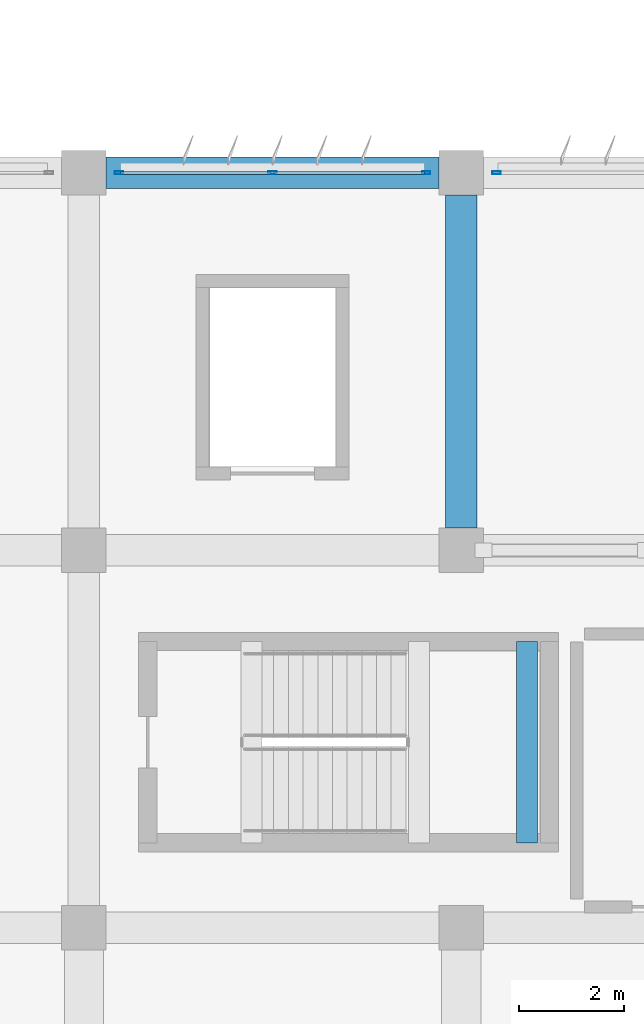
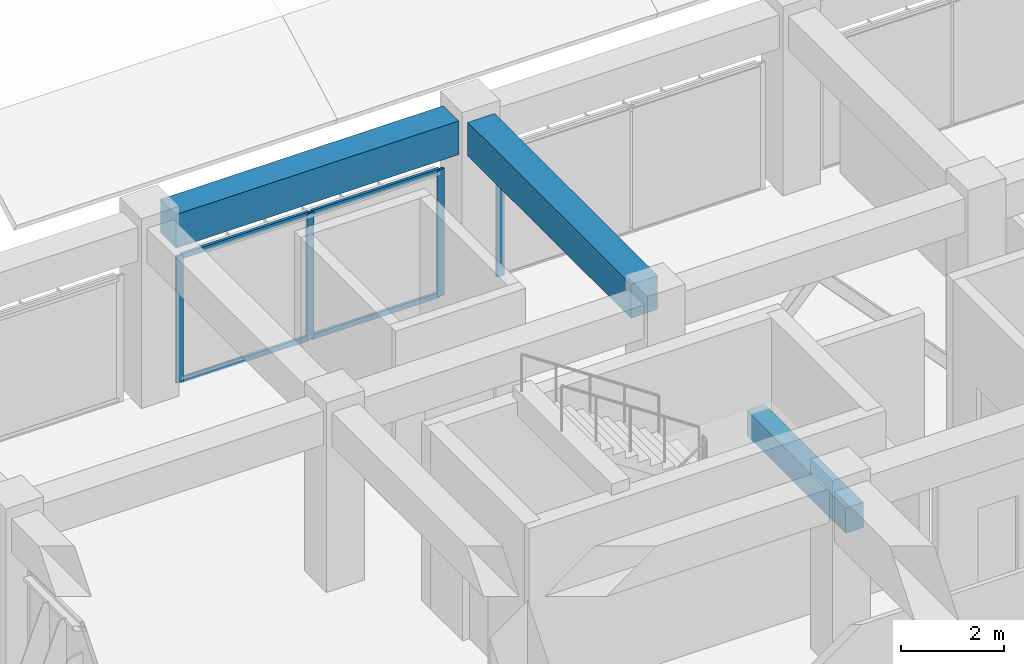
# One storey, part 12 of 56: 8 members, 3 beams, 2 elements without a shape of their own.
"""IFC4 building model written with IfcOpenShell, lengths in metres."""

from ifc_helpers import new_model, si_unit, direction, frame, origin, origin_2d, place, context, subcontext, project, spatial, rectangle, hollow_rectangle, extrude, material, material_profile, profile_set, type_object, element, aggregate, save


model = new_model("IFC4")

# Units and contexts
model_context = context("Model", 3, precision=1e-05, world=origin(), true_north=direction((0.0, 1.0)))
body_context = subcontext(model_context, "Body", "Model", "MODEL_VIEW")
ifc_project = project(units=[si_unit("LENGTHUNIT", "METRE"), si_unit("AREAUNIT", "SQUARE_METRE"), si_unit("VOLUMEUNIT", "CUBIC_METRE"), si_unit("PLANEANGLEUNIT", "RADIAN"), si_unit("MASSUNIT", "GRAM", prefix="KILO")], contexts=[model_context])

# Site, building, storey
site_placement = place(None, origin())
site = spatial("IfcSite", under=ifc_project, at=site_placement, CompositionType="ELEMENT")
building_placement = place(site_placement, origin())
building = spatial("IfcBuilding", under=site, at=building_placement, Name="Kazehaya Institute of Natural Sciences", CompositionType="ELEMENT")
storey_placement = place(building_placement, frame((0.0, 0.0, 24.300048828125)))
storey = spatial("IfcBuildingStorey", under=building, at=storey_placement, Name="L05", CompositionType="ELEMENT", Elevation=24.300048828125)

# Beams
ifc_material_1 = material(Name="Concrete Fc36", Category="concrete")
ifc_material_profile_1 = material_profile(ifc_material_1, rectangle(XDim=0.39990234375, YDim=0.60009765625, at=origin_2d()), Name="RC-400x600")
ifc_profile_set_1 = profile_set([ifc_material_profile_1], Name="Concrete Fc36")
beam_type_1 = type_object("IfcBeamType", Name="BM-B-400x600", PredefinedType="BEAM", material=ifc_profile_set_1)
beam_1_placement = place(storey_placement, frame((70.25, 22.820068359375, 1.7900390625), z_axis=(0.0, 1.0, 0.0), x_axis=(-1.0, 0.0, 0.0)))
element("IfcBeam", 1, at=beam_1_placement, inside=storey, type_object=beam_type_1, Name="L05 ST-1 landing beam 2", PredefinedType="BEAM", context=body_context, shape_type="SweptSolid", body=[
    extrude(rectangle(XDim=0.39990234375, YDim=0.60009765625, at=origin_2d()), origin(), (0.0, 0.0, 1.0), 3.83984375),
])
ifc_material_profile_2 = material_profile(ifc_material_1, rectangle(XDim=0.60009765625, YDim=0.800048828125, at=origin_2d()), Name="RC-600x800")
ifc_profile_set_2 = profile_set([ifc_material_profile_2], Name="Concrete Fc36")
beam_type_2 = type_object("IfcBeamType", Name="BM-G-600x800", PredefinedType="BEAM", material=ifc_profile_set_2)
beam_2_placement = place(storey_placement, frame((62.22509765625, 35.60009765625, 3.829833984375), z_axis=(1.0, 0.0, 0.0), x_axis=(0.0, 1.0, 0.0)))
element("IfcBeam", 2, at=beam_2_placement, inside=storey, type_object=beam_type_2, Name="L05 primary X girder BMX-L05-618-356", PredefinedType="BEAM", context=body_context, shape_type="SweptSolid", body=[
    extrude(rectangle(XDim=0.60009765625, YDim=0.800048828125, at=origin_2d()), origin(), (0.0, 0.0, 1.0), 6.349853515625),
])
beam_3_placement = place(storey_placement, frame((69.0, 28.824951171875, 3.829833984375), z_axis=(0.0, 1.0, 0.0), x_axis=(-1.0, 0.0, 0.0)))
element("IfcBeam", 3, at=beam_3_placement, inside=storey, type_object=beam_type_2, Name="L05 primary Y girder BMY-L05-690-284", PredefinedType="BEAM", context=body_context, shape_type="SweptSolid", body=[
    extrude(rectangle(XDim=0.60009765625, YDim=0.800048828125, at=origin_2d()), origin(), (0.0, 0.0, 1.0), 6.35009765625),
])

# Curtain wall, members
ifc_material_2 = material(Name="Aluminium alloy A6063S-T5", Category="aluminium")
curtain_wall_type = type_object("IfcCurtainWallType", Name="CW-SYS-04", PredefinedType="NOTDEFINED", material=ifc_material_2)
curtain_wall_1_placement = place(storey_placement, origin())
curtain_wall_1 = element("IfcCurtainWall", 4, at=curtain_wall_1_placement, inside=storey, type_object=curtain_wall_type, Name="L05 unitised curtain wall CW-L05-104", PredefinedType="NOTDEFINED")
ifc_material_profile_3 = material_profile(ifc_material_2, hollow_rectangle(XDim=0.06005859375, YDim=0.159912109375, WallThickness=0.00390625, at=origin_2d()), Name="ALU-60x160x4")
ifc_profile_set_3 = profile_set([ifc_material_profile_3], Name="Aluminium alloy A6063S-T5")
member_type_1 = type_object("IfcMemberType", Name="CWM-160", PredefinedType="MULLION", material=ifc_profile_set_3)
member_1_placement = place(storey_placement, frame((62.469970703125, 35.60009765625, 0.0), z_axis=(0.0, 0.0, 1.0), x_axis=(0.0, 1.0, 0.0)))
member_1 = element("IfcMember", 5, at=member_1_placement, type_object=member_type_1, Name="CW04 mullion 1", PredefinedType="MULLION", context=body_context, shape_type="SweptSolid", body=[
    extrude(hollow_rectangle(XDim=0.06005859375, YDim=0.159912109375, WallThickness=0.00390625, at=origin_2d()), origin(), (0.0, 0.0, 1.0), 3.0),
])
member_2_placement = place(storey_placement, frame((65.39990234375, 35.60009765625, 0.0), z_axis=(0.0, 0.0, 1.0), x_axis=(0.0, 1.0, 0.0)))
member_2 = element("IfcMember", 6, at=member_2_placement, type_object=member_type_1, Name="CW04 mullion 2", PredefinedType="MULLION", context=body_context, shape_type="SweptSolid", body=[
    extrude(hollow_rectangle(XDim=0.06005859375, YDim=0.159912109375, WallThickness=0.00390625, at=origin_2d()), origin(), (0.0, 0.0, 1.0), 3.0),
])
member_3_placement = place(storey_placement, frame((68.330078125, 35.60009765625, 0.0), z_axis=(0.0, 0.0, 1.0), x_axis=(0.0, 1.0, 0.0)))
member_3 = element("IfcMember", 7, at=member_3_placement, type_object=member_type_1, Name="CW04 mullion 3", PredefinedType="MULLION", context=body_context, shape_type="SweptSolid", body=[
    extrude(hollow_rectangle(XDim=0.06005859375, YDim=0.159912109375, WallThickness=0.00390625, at=origin_2d()), origin(), (0.0, 0.0, 1.0), 3.0),
])

# Curtain wall, member
curtain_wall_2_placement = place(storey_placement, origin())
curtain_wall_2 = element("IfcCurtainWall", 8, at=curtain_wall_2_placement, inside=storey, type_object=curtain_wall_type, Name="L05 unitised curtain wall CW-L05-105", PredefinedType="NOTDEFINED")
member_4_placement = place(storey_placement, frame((69.669921875, 35.60009765625, 0.0), z_axis=(0.0, 0.0, 1.0), x_axis=(0.0, 1.0, 0.0)))
member_4 = element("IfcMember", 9, at=member_4_placement, type_object=member_type_1, Name="CW04 mullion 1", PredefinedType="MULLION", context=body_context, shape_type="SweptSolid", body=[
    extrude(hollow_rectangle(XDim=0.06005859375, YDim=0.159912109375, WallThickness=0.00390625, at=origin_2d()), origin(), (0.0, 0.0, 1.0), 3.0),
])
aggregate(curtain_wall_2, [member_4])

# Member
ifc_material_profile_4 = material_profile(ifc_material_2, hollow_rectangle(XDim=0.06005859375, YDim=0.1201171875, WallThickness=0.00341796875, at=origin_2d()), Name="ALU-60x120x3.5")
ifc_profile_set_4 = profile_set([ifc_material_profile_4], Name="Aluminium alloy A6063S-T5")
member_type_2 = type_object("IfcMemberType", Name="CWT-120", PredefinedType="USERDEFINED", material=ifc_profile_set_4)
member_5_placement = place(storey_placement, frame((62.5, 35.60009765625, 0.030029296875), z_axis=(1.0, 0.0, 0.0), x_axis=(0.0, 1.0, 0.0)))
member_5 = element("IfcMember", 10, at=member_5_placement, type_object=member_type_2, Name="CW04 transom 1.1", ObjectType="TRANSOM", PredefinedType="USERDEFINED", context=body_context, shape_type="SweptSolid", body=[
    extrude(hollow_rectangle(XDim=0.06005859375, YDim=0.1201171875, WallThickness=0.00341796875, at=origin_2d()), origin(), (0.0, 0.0, 1.0), 2.8701171875),
])

member_6_placement = place(storey_placement, frame((62.5, 35.60009765625, 2.969970703125), z_axis=(1.0, 0.0, 0.0), x_axis=(0.0, 1.0, 0.0)))
member_6 = element("IfcMember", 11, at=member_6_placement, type_object=member_type_2, Name="CW04 transom 1.2", ObjectType="TRANSOM", PredefinedType="USERDEFINED", context=body_context, shape_type="SweptSolid", body=[
    extrude(hollow_rectangle(XDim=0.06005859375, YDim=0.1201171875, WallThickness=0.00341796875, at=origin_2d()), origin(), (0.0, 0.0, 1.0), 2.8701171875),
])

member_7_placement = place(storey_placement, frame((65.429931640625, 35.60009765625, 0.030029296875), z_axis=(1.0, 0.0, 0.0), x_axis=(0.0, 1.0, 0.0)))
member_7 = element("IfcMember", 12, at=member_7_placement, type_object=member_type_2, Name="CW04 transom 2.1", ObjectType="TRANSOM", PredefinedType="USERDEFINED", context=body_context, shape_type="SweptSolid", body=[
    extrude(hollow_rectangle(XDim=0.06005859375, YDim=0.1201171875, WallThickness=0.00341796875, at=origin_2d()), origin(), (0.0, 0.0, 1.0), 2.8701171875),
])

member_8_placement = place(storey_placement, frame((65.429931640625, 35.60009765625, 2.969970703125), z_axis=(1.0, 0.0, 0.0), x_axis=(0.0, 1.0, 0.0)))
member_8 = element("IfcMember", 13, at=member_8_placement, type_object=member_type_2, Name="CW04 transom 2.2", ObjectType="TRANSOM", PredefinedType="USERDEFINED", context=body_context, shape_type="SweptSolid", body=[
    extrude(hollow_rectangle(XDim=0.06005859375, YDim=0.1201171875, WallThickness=0.00341796875, at=origin_2d()), origin(), (0.0, 0.0, 1.0), 2.8701171875),
])

aggregate(curtain_wall_1, [member_1, member_2, member_3, member_5, member_6, member_7, member_8])

save(model, "model.ifc")
